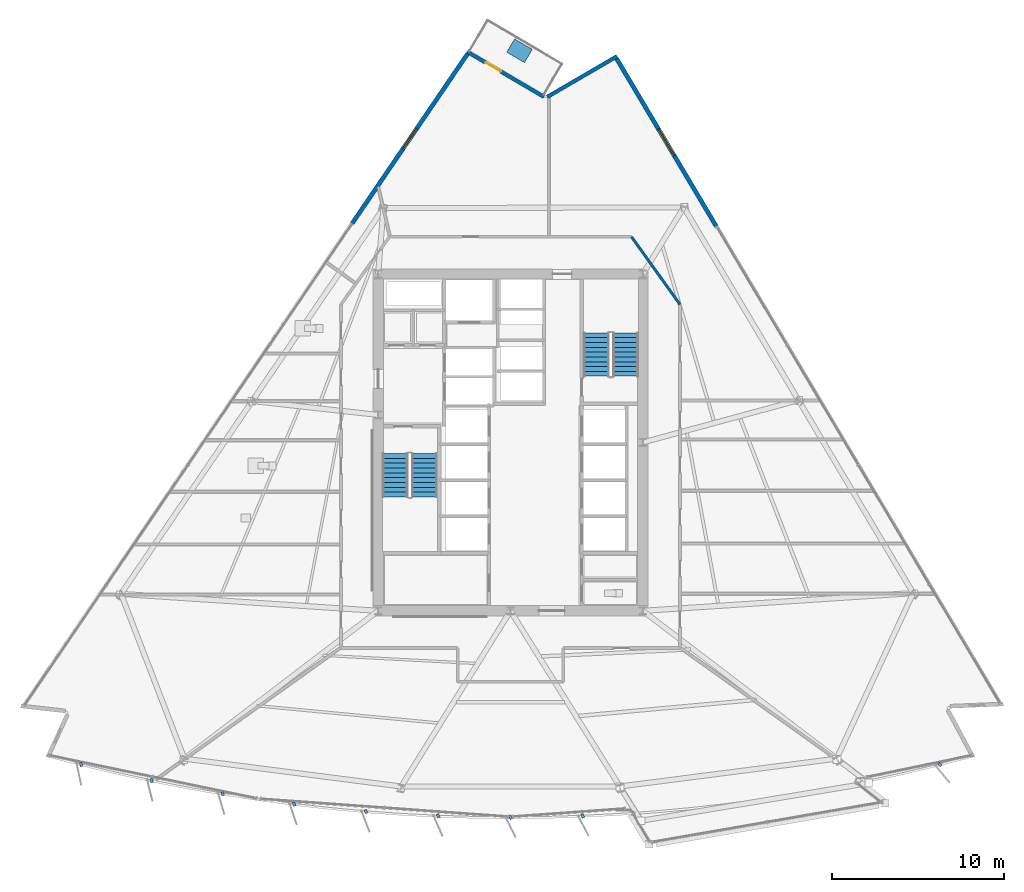
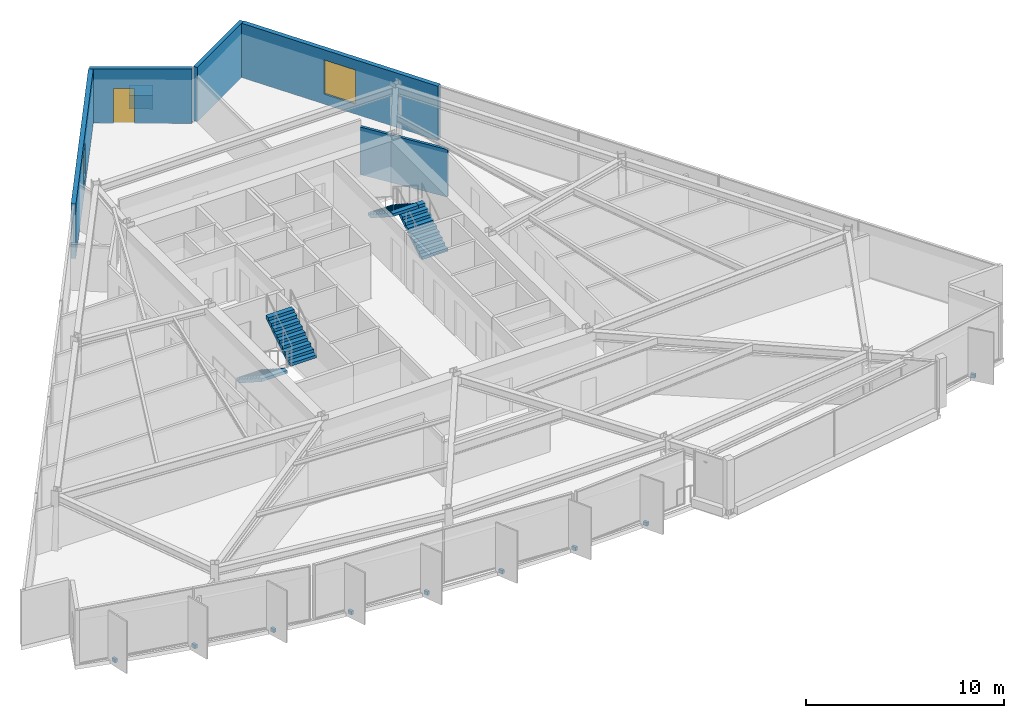
# One storey, part 10 of 15: 10 discrete accessories, 5 walls, 4 stair flights, 2 windows, 1 door, 3 openings, 2 elements without a shape of their own.
"""IFC4 building model written with IfcOpenShell, lengths in metres."""

from ifc_helpers import new_model, si_unit, direction, frame, frame_2d, origin, origin_2d, place, context, subcontext, project, spatial, polyline, rectangle, outline, extrude, material, layer, layer_set, type_object, element, fill, aggregate, save


model = new_model("IFC4")

# Units and contexts
model_context = context("Model", 3, precision=1e-05, world=origin(), true_north=direction((0.0, 1.0)))
body_context = subcontext(model_context, "Body", "Model", "MODEL_VIEW")
ifc_project = project(units=[si_unit("LENGTHUNIT", "METRE"), si_unit("AREAUNIT", "SQUARE_METRE"), si_unit("VOLUMEUNIT", "CUBIC_METRE"), si_unit("PLANEANGLEUNIT", "RADIAN"), si_unit("MASSUNIT", "GRAM", prefix="KILO")], contexts=[model_context])

# Site, building, storey
site_placement = place(None, origin())
site = spatial("IfcSite", under=ifc_project, at=site_placement, CompositionType="ELEMENT")
building_placement = place(site_placement, origin())
building = spatial("IfcBuilding", under=site, at=building_placement, Name="Savorim Split Tower", CompositionType="ELEMENT")
storey_placement = place(building_placement, frame((0.0, 0.0, 93.300048828125)))
storey = spatial("IfcBuildingStorey", under=building, at=storey_placement, Name="L24", CompositionType="ELEMENT", Elevation=93.300048828125)

# Wall
ifc_material_1 = material(Name="Precast concrete C40/50", Category="concrete")
ifc_layer_1 = layer(ifc_material_1, 0.219970703125)
ifc_layer_set_1 = layer_set([ifc_layer_1], Name="WAL-EXT-CRN220")
wall_type_1 = type_object("IfcWallType", Name="WAL-EXT-CRN220", PredefinedType="SOLIDWALL", material=ifc_layer_set_1)
wall_1_placement = place(storey_placement, frame((2.141845703125, 20.502197265625, 0.0), z_axis=(0.0, 0.0, 1.0), x_axis=(0.863981097269, 0.503524243272, 0.0)))
element("IfcWall", 1, at=wall_1_placement, inside=storey, type_object=wall_type_1, Name="L24 Notched Corner Facade Wall NE1", PredefinedType="SOLIDWALL", context=body_context, shape_type="SweptSolid", body=[
    extrude(rectangle(XDim=4.684326171875, YDim=0.219970703125, at=frame_2d((2.34228515625, 0.0))), origin(), (0.0, 0.0, 1.0), 3.349853515625),
])

# Wall, opening, door
wall_2_placement = place(storey_placement, frame((-2.509521484375, 23.12451171875, 0.0), z_axis=(0.0, 0.0, 1.0), x_axis=(0.862103972413, -0.506731428618, 0.0)))
wall_2 = element("IfcWall", 2, at=wall_2_placement, inside=storey, type_object=wall_type_1, Name="L24 Notched Corner Facade Wall N", PredefinedType="SOLIDWALL", context=body_context, shape_type="SweptSolid", body=[
    extrude(rectangle(XDim=5.174560546875, YDim=0.219970703125, at=frame_2d((2.58740234375, 0.0))), origin(), (0.0, 0.0, 1.0), 3.349853515625),
])
opening_1_placement = place(wall_2_placement, frame((1.21240234375, 0.0, 0.0)))
opening_1 = element("IfcOpeningElement", 3, at=opening_1_placement, cuts=wall_2, Name="Opening DB-01", PredefinedType="OPENING", context=body_context, shape_type="SweptSolid", body=[
    extrude(rectangle(XDim=1.050048828125, YDim=2.14990234375, at=frame_2d((0.52490234375, 1.074951171875))), frame((0.0, 0.119873046875, 0.0), z_axis=(0.0, -1.0, 0.0), x_axis=(1.0, 0.0, 0.0)), (0.0, 0.0, 1.0), 0.239990234375),
])
ifc_material_2 = material(Name="Charcoal Anodised Aluminium", Category="aluminium")
door_type = type_object("IfcDoorType", Name="DOR-BAL-1050", OperationType="NOTDEFINED", PredefinedType="DOOR", material=ifc_material_2)
door_placement = place(opening_1_placement, origin())
door = element("IfcDoor", 4, at=door_placement, inside=storey, type_object=door_type, Name="DOR-L24-TBAL-N - L24 Planted Tree Balcony Door N", OperationType="SINGLE_SWING_LEFT", OverallHeight=2.14990234375, OverallWidth=1.050048828125, PredefinedType="DOOR", context=body_context, shape_type="SweptSolid", body=[
    extrude(rectangle(XDim=1.050048828125, YDim=2.14990234375, at=frame_2d((0.52490234375, 1.074951171875))), frame((0.0, 0.02490234375, 0.0), z_axis=(0.0, -1.0, 0.0), x_axis=(1.0, 0.0, 0.0)), (0.0, 0.0, 1.0), 0.050048828125),
])
fill(opening_1, door)

# Wall, opening, window
ifc_layer_2 = layer(ifc_material_1, 0.25)
ifc_layer_set_2 = layer_set([ifc_layer_2], Name="WAL-EXT-SPN250")
wall_type_2 = type_object("IfcWallType", Name="WAL-EXT-SPN250", PredefinedType="SOLIDWALL", material=ifc_layer_set_2)
wall_3_placement = place(storey_placement, frame((6.17236328125, 22.734130859375, 0.0), z_axis=(0.0, 0.0, 1.0), x_axis=(0.511105869751, -0.859517765905, 0.0)))
wall_3 = element("IfcWall", 5, at=wall_3_placement, inside=storey, type_object=wall_type_2, Name="L24 East Operable Window Pier", PredefinedType="SOLIDWALL", context=body_context, shape_type="SweptSolid", body=[
    extrude(rectangle(XDim=11.356689453125, YDim=0.25, at=frame_2d((5.67822265625, 0.0))), origin(), (0.0, 0.0, 1.0), 3.349853515625),
])
opening_2_placement = place(wall_3_placement, frame((4.7783203125, 0.0, 0.6201171875)))
opening_2 = element("IfcOpeningElement", 6, at=opening_2_placement, cuts=wall_3, Name="Opening WN-04", PredefinedType="OPENING", context=body_context, shape_type="SweptSolid", body=[
    extrude(rectangle(XDim=1.800048828125, YDim=2.10009765625, at=frame_2d((0.89990234375, 1.050048828125))), frame((0.0, 0.135009765625, 0.0), z_axis=(0.0, -1.0, 0.0), x_axis=(1.0, 0.0, 0.0)), (0.0, 0.0, 1.0), 0.27001953125),
])
ifc_material_3 = material(Name="Low-E Operable Double Glazing", Category="glass")
window_type_1 = type_object("IfcWindowType", Name="WIN-TWR-1800x2100", PartitioningType="DOUBLE_PANEL_VERTICAL", PredefinedType="WINDOW", material=ifc_material_3)
window_1_placement = place(opening_2_placement, origin())
window_1 = element("IfcWindow", 7, at=window_1_placement, inside=storey, type_object=window_type_1, Name="L24 East Operable Ventilation Window", OverallHeight=2.10009765625, OverallWidth=1.800048828125, PartitioningType="SINGLE_PANEL", PredefinedType="WINDOW", context=body_context, shape_type="SweptSolid", body=[
    extrude(rectangle(XDim=1.800048828125, YDim=2.10009765625, at=frame_2d((0.89990234375, 1.050048828125))), frame((0.0, 0.030029296875, 0.0), z_axis=(0.0, -1.0, 0.0), x_axis=(1.0, 0.0, 0.0)), (0.0, 0.0, 1.0), 0.06005859375),
])
fill(opening_2, window_1)

wall_4_placement = place(storey_placement, frame((-9.21728515625, 13.135986328125, 0.0), z_axis=(0.0, 0.0, 1.0), x_axis=(0.562468998305, 0.826818375428, 0.0)))
wall_4 = element("IfcWall", 8, at=wall_4_placement, inside=storey, type_object=wall_type_2, Name="L24 West Operable Window Pier", PredefinedType="SOLIDWALL", context=body_context, shape_type="SweptSolid", body=[
    extrude(rectangle(XDim=11.9287109375, YDim=0.25, at=frame_2d((5.96435546875, 0.0))), origin(), (0.0, 0.0, 1.0), 3.349853515625),
])
opening_3_placement = place(wall_4_placement, frame((5.264404296875, 0.0, 0.6201171875)))
opening_3 = element("IfcOpeningElement", 9, at=opening_3_placement, cuts=wall_4, Name="Opening WN-07", PredefinedType="OPENING", context=body_context, shape_type="SweptSolid", body=[
    extrude(rectangle(XDim=1.39990234375, YDim=2.0, at=frame_2d((0.699951171875, 1.0))), frame((0.0, 0.135009765625, 0.0), z_axis=(0.0, -1.0, 0.0), x_axis=(1.0, 0.0, 0.0)), (0.0, 0.0, 1.0), 0.27001953125),
])
window_type_2 = type_object("IfcWindowType", Name="WIN-TWR-1400x2000", PartitioningType="SINGLE_PANEL", PredefinedType="WINDOW", material=ifc_material_3)
window_2_placement = place(opening_3_placement, origin())
window_2 = element("IfcWindow", 10, at=window_2_placement, inside=storey, type_object=window_type_2, Name="L24 West Operable Ventilation Window", OverallHeight=2.0, OverallWidth=1.39990234375, PartitioningType="SINGLE_PANEL", PredefinedType="WINDOW", context=body_context, shape_type="SweptSolid", body=[
    extrude(rectangle(XDim=1.39990234375, YDim=2.0, at=frame_2d((0.699951171875, 1.0))), frame((0.0, 0.030029296875, 0.0), z_axis=(0.0, -1.0, 0.0), x_axis=(1.0, 0.0, 0.0)), (0.0, 0.0, 1.0), 0.06005859375),
])
fill(opening_3, window_2)

# Wall
ifc_material_4 = material(Name="Acoustic Gypsum Partition Board")
ifc_layer_3 = layer(ifc_material_4, 0.14990234375)
ifc_layer_set_3 = layer_set([ifc_layer_3], Name="WAL-PAR-150")
wall_type_3 = type_object("IfcWallType", Name="WAL-PAR-150", PredefinedType="PARTITIONING", material=ifc_layer_set_3)
wall_5_placement = place(storey_placement, frame((7.041015625, 12.360107421875, 0.0), z_axis=(0.0, 0.0, 1.0), x_axis=(0.582449511476, -0.812866881218, 0.0)))
element("IfcWall", 11, at=wall_5_placement, inside=storey, type_object=wall_type_3, Name="L24 Partition W-L24-COR-04", PredefinedType="PARTITIONING", context=body_context, shape_type="SweptSolid", body=[
    extrude(rectangle(XDim=4.840087890625, YDim=0.14990234375, at=frame_2d((2.419921875, 0.0))), origin(), (0.0, 0.0, 1.0), 2.925048828125),
])

# Stair, stair flights
ifc_material_5 = material(Name="Concrete C50/60", Category="concrete")
stair_type = type_object("IfcStairType", Name="STR-DOG-3600", PredefinedType="HALF_TURN_STAIR", material=ifc_material_5)
stair_1_placement = place(storey_placement, origin())
stair_1 = element("IfcStair", 12, at=stair_1_placement, inside=storey, type_object=stair_type, Name="L24 Core Protected Exit Stair ST-1", PredefinedType="HALF_TURN_STAIR")
stair_flight_type = type_object("IfcStairFlightType", Name="SFL-DOG-3600", PredefinedType="STRAIGHT", material=ifc_material_5)
stair_flight_1_placement = place(storey_placement, frame((-6.699951171875, -0.25, 0.0), z_axis=(0.0, 0.0, 1.0), x_axis=(0.0, -1.0, 0.0)))
stair_flight_1 = element("IfcStairFlight", 13, at=stair_flight_1_placement, type_object=stair_flight_type, Name="ST-1 flight 1", NumberOfRisers=10, NumberOfTreads=9, PredefinedType="STRAIGHT", RiserHeight=0.18, TreadLength=0.28, context=body_context, shape_type="SweptSolid", body=[
    extrude(outline(polyline([(0.0, 0.0), (0.0, 0.179931640625), (0.280029296875, 0.179931640625), (0.280029296875, 0.360107421875), (0.56005859375, 0.360107421875), (0.56005859375, 0.5400390625), (0.840087890625, 0.5400390625), (0.840087890625, 0.719970703125), (1.1201171875, 0.719970703125), (1.1201171875, 0.89990234375), (1.39990234375, 0.89990234375), (1.39990234375, 1.080078125), (1.679931640625, 1.080078125), (1.679931640625, 1.260009765625), (1.9599609375, 1.260009765625), (1.9599609375, 1.43994140625), (2.239990234375, 1.43994140625), (2.239990234375, 1.6201171875), (2.52001953125, 1.6201171875), (2.52001953125, 1.800048828125), (2.52001953125, 1.44189453125), (0.277099609375, 0.0), (0.0, 0.0)])), frame((0.0, 0.75, 0.0), z_axis=(0.0, -1.0, 0.0), x_axis=(1.0, 0.0, 0.0)), (0.0, 0.0, 1.0), 1.5),
])
stair_flight_2_placement = place(storey_placement, frame((-5.0, -2.77001953125, 1.800048828125), z_axis=(0.0, 0.0, 1.0), x_axis=(0.0, 1.0, 0.0)))
stair_flight_2 = element("IfcStairFlight", 14, at=stair_flight_2_placement, type_object=stair_flight_type, Name="ST-1 flight 2", NumberOfRisers=10, NumberOfTreads=9, PredefinedType="STRAIGHT", RiserHeight=0.18, TreadLength=0.28, context=body_context, shape_type="SweptSolid", body=[
    extrude(outline(polyline([(0.0, 0.0), (0.0, 0.179931640625), (0.280029296875, 0.179931640625), (0.280029296875, 0.360107421875), (0.56005859375, 0.360107421875), (0.56005859375, 0.5400390625), (0.840087890625, 0.5400390625), (0.840087890625, 0.719970703125), (1.1201171875, 0.719970703125), (1.1201171875, 0.89990234375), (1.39990234375, 0.89990234375), (1.39990234375, 1.080078125), (1.679931640625, 1.080078125), (1.679931640625, 1.260009765625), (1.9599609375, 1.260009765625), (1.9599609375, 1.43994140625), (2.239990234375, 1.43994140625), (2.239990234375, 1.6201171875), (2.52001953125, 1.6201171875), (2.52001953125, 1.800048828125), (2.52001953125, 1.44189453125), (0.277099609375, 0.0), (0.0, 0.0)])), frame((0.0, 0.75, 0.0), z_axis=(0.0, -1.0, 0.0), x_axis=(1.0, 0.0, 0.0)), (0.0, 0.0, 1.0), 1.5),
])
aggregate(stair_1, [stair_flight_1, stair_flight_2])

stair_2_placement = place(storey_placement, origin())
stair_2 = element("IfcStair", 15, at=stair_2_placement, inside=storey, type_object=stair_type, Name="L24 Core Protected Exit Stair ST-2", PredefinedType="HALF_TURN_STAIR")
stair_flight_3_placement = place(storey_placement, frame((6.699951171875, 4.25, 0.0), z_axis=(0.0, 0.0, 1.0), x_axis=(0.0, 1.0, 0.0)))
stair_flight_3 = element("IfcStairFlight", 16, at=stair_flight_3_placement, type_object=stair_flight_type, Name="ST-2 flight 1", NumberOfRisers=10, NumberOfTreads=9, PredefinedType="STRAIGHT", RiserHeight=0.18, TreadLength=0.28, context=body_context, shape_type="SweptSolid", body=[
    extrude(outline(polyline([(0.0, 0.0), (0.0, 0.179931640625), (0.280029296875, 0.179931640625), (0.280029296875, 0.360107421875), (0.56005859375, 0.360107421875), (0.56005859375, 0.5400390625), (0.840087890625, 0.5400390625), (0.840087890625, 0.719970703125), (1.1201171875, 0.719970703125), (1.1201171875, 0.89990234375), (1.39990234375, 0.89990234375), (1.39990234375, 1.080078125), (1.679931640625, 1.080078125), (1.679931640625, 1.260009765625), (1.9599609375, 1.260009765625), (1.9599609375, 1.43994140625), (2.239990234375, 1.43994140625), (2.239990234375, 1.6201171875), (2.52001953125, 1.6201171875), (2.52001953125, 1.800048828125), (2.52001953125, 1.44189453125), (0.277099609375, 0.0), (0.0, 0.0)])), frame((0.0, 0.75, 0.0), z_axis=(0.0, -1.0, 0.0), x_axis=(1.0, 0.0, 0.0)), (0.0, 0.0, 1.0), 1.5),
])
stair_flight_4_placement = place(storey_placement, frame((5.0, 6.77001953125, 1.800048828125), z_axis=(0.0, 0.0, 1.0), x_axis=(0.0, -1.0, 0.0)))
stair_flight_4 = element("IfcStairFlight", 17, at=stair_flight_4_placement, type_object=stair_flight_type, Name="ST-2 flight 2", NumberOfRisers=10, NumberOfTreads=9, PredefinedType="STRAIGHT", RiserHeight=0.18, TreadLength=0.28, context=body_context, shape_type="SweptSolid", body=[
    extrude(outline(polyline([(0.0, 0.0), (0.0, 0.179931640625), (0.280029296875, 0.179931640625), (0.280029296875, 0.360107421875), (0.56005859375, 0.360107421875), (0.56005859375, 0.5400390625), (0.840087890625, 0.5400390625), (0.840087890625, 0.719970703125), (1.1201171875, 0.719970703125), (1.1201171875, 0.89990234375), (1.39990234375, 0.89990234375), (1.39990234375, 1.080078125), (1.679931640625, 1.080078125), (1.679931640625, 1.260009765625), (1.9599609375, 1.260009765625), (1.9599609375, 1.43994140625), (2.239990234375, 1.43994140625), (2.239990234375, 1.6201171875), (2.52001953125, 1.6201171875), (2.52001953125, 1.800048828125), (2.52001953125, 1.44189453125), (0.277099609375, 0.0), (0.0, 0.0)])), frame((0.0, 0.75, 0.0), z_axis=(0.0, -1.0, 0.0), x_axis=(1.0, 0.0, 0.0)), (0.0, 0.0, 1.0), 1.5),
])
aggregate(stair_2, [stair_flight_3, stair_flight_4])

# Discrete accessories
ifc_material_6 = material(Name="Steel S355", Category="steel")
discrete_accessory_type_1 = type_object("IfcDiscreteAccessoryType", Name="ACC-BRK-FIN", PredefinedType="BRACKET", material=ifc_material_6)
for number, where, z_axis, x_axis, name in (
    (18, (-24.9814453125, -18.338134765625, -0.18994140625), (0.0, 0.0, 1.0), (0.206721626106, -0.978399800337, 0.0), "L24 Fin Slab-Edge Cleat Bracket 01"),
    (19, (-20.882080078125, -19.276611328125, -0.18994140625), (0.0, 0.0, 1.0), (0.246581250663, -0.969122121727, 0.0), "L24 Fin Slab-Edge Cleat Bracket 02"),
    (20, (-16.747802734375, -20.046875, -0.18994140625), (0.0, 0.0, 1.0), (0.286026212504, -0.958221793616, 0.0), "L24 Fin Slab-Edge Cleat Bracket 03"),
    (21, (-12.58544921875, -20.647216796875, -0.18994140625), (0.0, 0.0, 1.0), (0.324993810493, -0.945716143005, 0.0), "L24 Fin Slab-Edge Cleat Bracket 04"),
    (22, (-8.402099609375, -21.07666015625, -0.18994140625), (0.0, 0.0, 1.0), (0.363415461732, -0.931627179817, 0.0), "L24 Fin Slab-Edge Cleat Bracket 05"),
    (23, (-4.20458984375, -21.334716796875, -0.18994140625), (0.0, 0.0, 1.0), (0.401230091723, -0.915977299662, 0.0), "L24 Fin Slab-Edge Cleat Bracket 06"),
    (24, (0.0, -21.4208984375, -0.18994140625), (0.0, 0.0, 1.0), (0.438371146789, -0.898794046299, 0.0), "L24 Fin Slab-Edge Cleat Bracket 07"),
    (25, (4.20458984375, -21.334716796875, -0.18994140625), (0.0, 0.0, 1.0), (0.474778051978, -0.880105562623, 0.0), "L24 Fin Slab-Edge Cleat Bracket 08"),
    (26, (24.9814453125, -18.338134765625, -0.18994140625), (0.0, 0.0, 1.0), (0.643719022682, -0.765261928909, 0.0), "L24 Fin Slab-Edge Cleat Bracket 13"),
):
    element("IfcDiscreteAccessory", number, at=place(storey_placement, frame(where, z_axis=z_axis, x_axis=x_axis)), inside=storey, type_object=discrete_accessory_type_1, Name=name, PredefinedType="BRACKET", context=body_context, shape_type="SweptSolid", body=[
        extrude(rectangle(XDim=0.239990234375, YDim=0.159912109375, at=origin_2d()), origin(), (0.0, 0.0, 1.0), 0.219970703125),
    ])
ifc_material_7 = material(Name="Architectural Precast Planter Concrete C40/50", Category="concrete")
discrete_accessory_type_2 = type_object("IfcDiscreteAccessoryType", Name="ACC-PLN-TREE", PredefinedType="USERDEFINED", material=ifc_material_7)
discrete_accessory_placement = place(storey_placement, frame((0.526611328125, 23.18408203125, 0.0), z_axis=(0.0, 0.0, 1.0), x_axis=(-0.862122155817, 0.506700491858, 0.0)))
element("IfcDiscreteAccessory", 27, at=discrete_accessory_placement, inside=storey, type_object=discrete_accessory_type_2, Name="L24 Balcony Precast Tree Planter N", ObjectType="PLANTER", PredefinedType="USERDEFINED", context=body_context, shape_type="SweptSolid", body=[
    extrude(rectangle(XDim=1.199951171875, YDim=0.89990234375, at=origin_2d()), origin(), (0.0, 0.0, 1.0), 0.85009765625),
])

save(model, "model.ifc")
